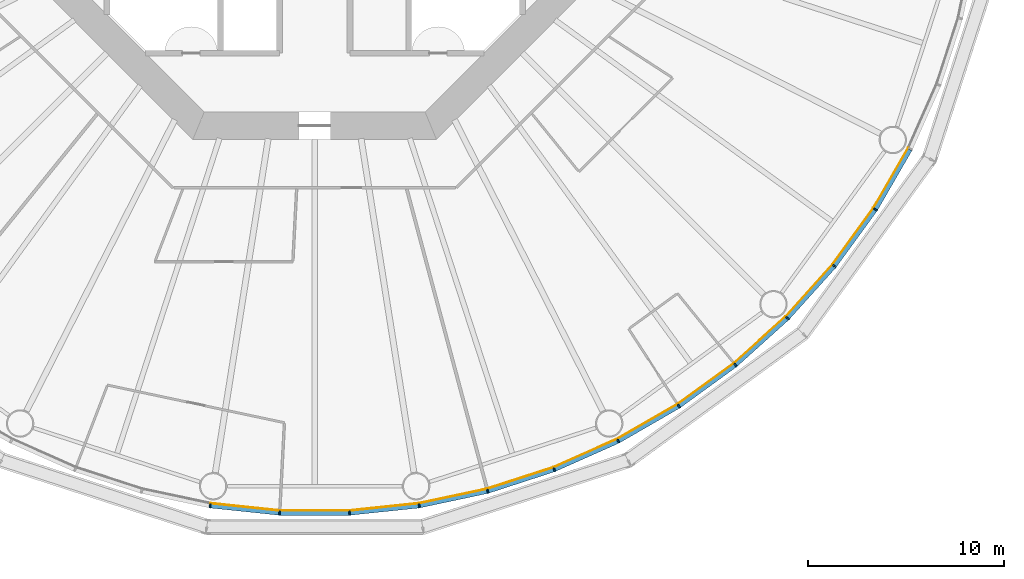
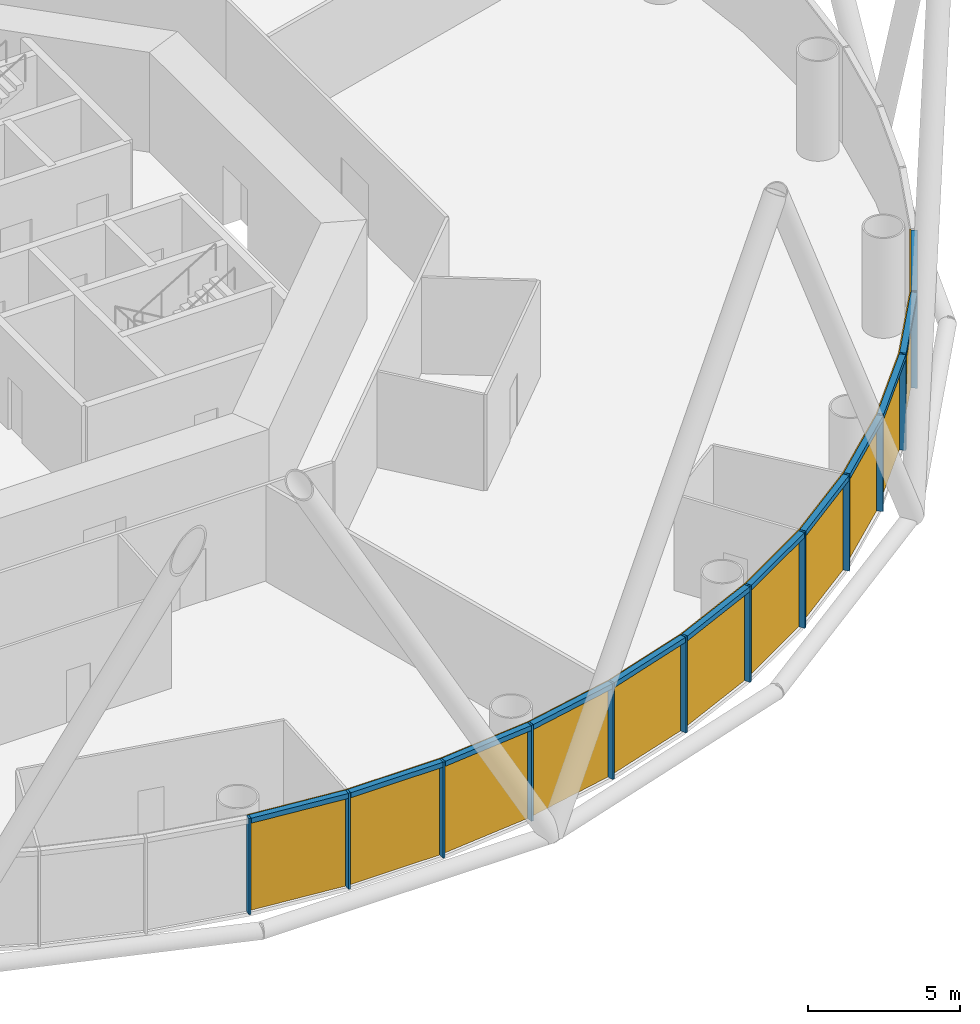
# One storey, part 8 of 13: 24 members, 4 curtain walls.
"""IFC4 building model written with IfcOpenShell, lengths in metres."""

from ifc_helpers import new_model, si_unit, direction, frame, origin, origin_2d, place, context, subcontext, project, spatial, polyline, rectangle, outline, extrude, material, layer, layer_set, material_profile, profile_set, type_object, element, aggregate, save


model = new_model("IFC4")

# Units and contexts
model_context = context("Model", 3, precision=1e-05, world=origin(), true_north=direction((0.0, 1.0)))
body_context = subcontext(model_context, "Body", "Model", "MODEL_VIEW")
ifc_project = project(units=[si_unit("LENGTHUNIT", "METRE"), si_unit("AREAUNIT", "SQUARE_METRE"), si_unit("VOLUMEUNIT", "CUBIC_METRE"), si_unit("PLANEANGLEUNIT", "RADIAN"), si_unit("MASSUNIT", "GRAM", prefix="KILO")], contexts=[model_context])

# Member
ifc_material_1 = material(Name="Anodised aluminium", Category="aluminium")
ifc_material_profile_1 = material_profile(ifc_material_1, rectangle(XDim=0.074951171875, YDim=0.219970703125, at=origin_2d()), Name="Mullion 75 x 220 mm anodised aluminium")
ifc_profile_set_1 = profile_set([ifc_material_profile_1], Name="Anodised aluminium")
member_type_1 = type_object("IfcMemberType", Name="Mullion 75 x 220 mm anodised aluminium", PredefinedType="MULLION", material=ifc_profile_set_1)
site_placement = place(None, origin())
building_placement = place(site_placement, origin())
storey_placement = place(building_placement, frame((0.0, 0.0, 18.0)))
member_1_placement = place(storey_placement, frame((84.6640625, 46.31005859375, 0.0), z_axis=(0.0, 0.0, 1.0), x_axis=(0.987688340595, -0.15643446504, 0.0)))
member_1 = element("IfcMember", 1, at=member_1_placement, type_object=member_type_1, Name="MULLION L02-42", PredefinedType="MULLION", context=body_context, shape_type="SweptSolid", body=[
    extrude(rectangle(XDim=0.074951171875, YDim=0.219970703125, at=origin_2d()), origin(), (0.0, 0.0, 1.0), 3.85009765625),
])

member_2_placement = place(storey_placement, frame((88.21484375, 45.936767578125, 0.0), z_axis=(0.0, 0.0, 1.0), x_axis=(0.998629534755, -0.052335956243, 0.0)))
member_2 = element("IfcMember", 2, at=member_2_placement, type_object=member_type_1, Name="MULLION L02-43", PredefinedType="MULLION", context=body_context, shape_type="SweptSolid", body=[
    extrude(rectangle(XDim=0.074951171875, YDim=0.219970703125, at=origin_2d()), origin(), (0.0, 0.0, 1.0), 3.85009765625),
])

member_3_placement = place(storey_placement, frame((91.78515625, 45.936767578125, 0.0), z_axis=(0.0, 0.0, 1.0), x_axis=(0.998629534755, 0.052335956243, 0.0)))
member_3 = element("IfcMember", 3, at=member_3_placement, type_object=member_type_1, Name="MULLION L02-44", PredefinedType="MULLION", context=body_context, shape_type="SweptSolid", body=[
    extrude(rectangle(XDim=0.074951171875, YDim=0.219970703125, at=origin_2d()), origin(), (0.0, 0.0, 1.0), 3.85009765625),
])

member_4_placement = place(storey_placement, frame((95.3359375, 46.31005859375, 0.0), z_axis=(0.0, 0.0, 1.0), x_axis=(0.987688340595, 0.15643446504, 0.0)))
member_4 = element("IfcMember", 4, at=member_4_placement, type_object=member_type_1, Name="MULLION L02-45", PredefinedType="MULLION", context=body_context, shape_type="SweptSolid", body=[
    extrude(rectangle(XDim=0.074951171875, YDim=0.219970703125, at=origin_2d()), origin(), (0.0, 0.0, 1.0), 3.85009765625),
])

member_5_placement = place(storey_placement, frame((98.828369140625, 47.05224609375, 0.0), z_axis=(0.0, 0.0, 1.0), x_axis=(0.965925826289, 0.258819045103, 0.0)))
member_5 = element("IfcMember", 5, at=member_5_placement, type_object=member_type_1, Name="MULLION L02-46", PredefinedType="MULLION", context=body_context, shape_type="SweptSolid", body=[
    extrude(rectangle(XDim=0.074951171875, YDim=0.219970703125, at=origin_2d()), origin(), (0.0, 0.0, 1.0), 3.85009765625),
])

member_6_placement = place(storey_placement, frame((102.223876953125, 48.155517578125, 0.0), z_axis=(0.0, 0.0, 1.0), x_axis=(0.933580426497, 0.358367949545, 0.0)))
member_6 = element("IfcMember", 6, at=member_6_placement, type_object=member_type_1, Name="MULLION L02-47", PredefinedType="MULLION", context=body_context, shape_type="SweptSolid", body=[
    extrude(rectangle(XDim=0.074951171875, YDim=0.219970703125, at=origin_2d()), origin(), (0.0, 0.0, 1.0), 3.85009765625),
])

member_7_placement = place(storey_placement, frame((105.485595703125, 49.607666015625, 0.0), z_axis=(0.0, 0.0, 1.0), x_axis=(0.891006524188, 0.45399049974, 0.0)))
member_7 = element("IfcMember", 7, at=member_7_placement, type_object=member_type_1, Name="MULLION L02-48", PredefinedType="MULLION", context=body_context, shape_type="SweptSolid", body=[
    extrude(rectangle(XDim=0.074951171875, YDim=0.219970703125, at=origin_2d()), origin(), (0.0, 0.0, 1.0), 3.85009765625),
])

member_8_placement = place(storey_placement, frame((108.57763671875, 51.39306640625, 0.0), z_axis=(0.0, 0.0, 1.0), x_axis=(0.838670567945, 0.544639035015, 0.0)))
member_8 = element("IfcMember", 8, at=member_8_placement, type_object=member_type_1, Name="MULLION L02-49", PredefinedType="MULLION", context=body_context, shape_type="SweptSolid", body=[
    extrude(rectangle(XDim=0.074951171875, YDim=0.219970703125, at=origin_2d()), origin(), (0.0, 0.0, 1.0), 3.85009765625),
])

member_9_placement = place(storey_placement, frame((111.466064453125, 53.491455078125, 0.0), z_axis=(0.0, 0.0, 1.0), x_axis=(0.777145961457, 0.62932039105, 0.0)))
member_9 = element("IfcMember", 9, at=member_9_placement, type_object=member_type_1, Name="MULLION L02-50", PredefinedType="MULLION", context=body_context, shape_type="SweptSolid", body=[
    extrude(rectangle(XDim=0.074951171875, YDim=0.219970703125, at=origin_2d()), origin(), (0.0, 0.0, 1.0), 3.85009765625),
])

member_10_placement = place(storey_placement, frame((114.119384765625, 55.880615234375, 0.0), z_axis=(0.0, 0.0, 1.0), x_axis=(0.707106781187, 0.707106781187, 0.0)))
member_10 = element("IfcMember", 10, at=member_10_placement, type_object=member_type_1, Name="MULLION L02-51", PredefinedType="MULLION", context=body_context, shape_type="SweptSolid", body=[
    extrude(rectangle(XDim=0.074951171875, YDim=0.219970703125, at=origin_2d()), origin(), (0.0, 0.0, 1.0), 3.85009765625),
])

member_11_placement = place(storey_placement, frame((116.508544921875, 58.533935546875, 0.0), z_axis=(0.0, 0.0, 1.0), x_axis=(0.62932039105, 0.777145961457, 0.0)))
member_11 = element("IfcMember", 11, at=member_11_placement, type_object=member_type_1, Name="MULLION L02-52", PredefinedType="MULLION", context=body_context, shape_type="SweptSolid", body=[
    extrude(rectangle(XDim=0.074951171875, YDim=0.219970703125, at=origin_2d()), origin(), (0.0, 0.0, 1.0), 3.85009765625),
])

member_12_placement = place(storey_placement, frame((118.60693359375, 61.42236328125, 0.0), z_axis=(0.0, 0.0, 1.0), x_axis=(0.544639035015, 0.838670567945, 0.0)))
member_12 = element("IfcMember", 12, at=member_12_placement, type_object=member_type_1, Name="MULLION L02-53", PredefinedType="MULLION", context=body_context, shape_type="SweptSolid", body=[
    extrude(rectangle(XDim=0.074951171875, YDim=0.219970703125, at=origin_2d()), origin(), (0.0, 0.0, 1.0), 3.85009765625),
])

ifc_material_2 = material(Name="Anodised aluminium", Category="aluminium")
ifc_material_profile_2 = material_profile(ifc_material_2, rectangle(XDim=0.219970703125, YDim=0.199951171875, at=origin_2d()), Name="Transom 200 x 220 mm anodised aluminium")
ifc_profile_set_2 = profile_set([ifc_material_profile_2], Name="Anodised aluminium")
member_type_2 = type_object("IfcMemberType", Name="Transom 200 x 220 mm anodised aluminium", PredefinedType="USERDEFINED", material=ifc_profile_set_2)
member_13_placement = place(storey_placement, frame((84.70703125, 46.30517578125, 3.75), z_axis=(0.994526551648, -0.104484152234, 0.0), x_axis=(0.104484152234, 0.994526551648, 0.0)))
member_13 = element("IfcMember", 13, at=member_13_placement, type_object=member_type_2, Name="TRANSOM L02-42", ObjectType="TRANSOM", PredefinedType="USERDEFINED", context=body_context, shape_type="SweptSolid", body=[
    extrude(rectangle(XDim=0.219970703125, YDim=0.199951171875, at=origin_2d()), origin(), (0.0, 0.0, 1.0), 3.48388671875),
])

member_14_placement = place(storey_placement, frame((88.258056640625, 45.9365234375, 3.75), z_axis=(1.0, 0.0, 0.0), x_axis=(0.0, 1.0, 0.0)))
member_14 = element("IfcMember", 14, at=member_14_placement, type_object=member_type_2, Name="TRANSOM L02-43", ObjectType="TRANSOM", PredefinedType="USERDEFINED", context=body_context, shape_type="SweptSolid", body=[
    extrude(rectangle(XDim=0.219970703125, YDim=0.199951171875, at=origin_2d()), origin(), (0.0, 0.0, 1.0), 3.48388671875),
])

member_15_placement = place(storey_placement, frame((91.828125, 45.941162109375, 3.75), z_axis=(0.994526551648, 0.104484152234, 0.0), x_axis=(-0.104484152234, 0.994526551648, 0.0)))
member_15 = element("IfcMember", 15, at=member_15_placement, type_object=member_type_2, Name="TRANSOM L02-44", ObjectType="TRANSOM", PredefinedType="USERDEFINED", context=body_context, shape_type="SweptSolid", body=[
    extrude(rectangle(XDim=0.219970703125, YDim=0.199951171875, at=origin_2d()), origin(), (0.0, 0.0, 1.0), 3.48388671875),
])

member_16_placement = place(storey_placement, frame((95.37841796875, 46.31884765625, 3.75), z_axis=(0.978145669426, 0.207920776701, 0.0), x_axis=(-0.207920776701, 0.978145669426, 0.0)))
member_16 = element("IfcMember", 16, at=member_16_placement, type_object=member_type_2, Name="TRANSOM L02-45", ObjectType="TRANSOM", PredefinedType="USERDEFINED", context=body_context, shape_type="SweptSolid", body=[
    extrude(rectangle(XDim=0.219970703125, YDim=0.199951171875, at=origin_2d()), origin(), (0.0, 0.0, 1.0), 3.48388671875),
])

member_17_placement = place(storey_placement, frame((98.869384765625, 47.0654296875, 3.75), z_axis=(0.951052605696, 0.309029029702, 0.0), x_axis=(-0.309029029702, 0.951052605696, 0.0)))
member_17 = element("IfcMember", 17, at=member_17_placement, type_object=member_type_2, Name="TRANSOM L02-46", ObjectType="TRANSOM", PredefinedType="USERDEFINED", context=body_context, shape_type="SweptSolid", body=[
    extrude(rectangle(XDim=0.219970703125, YDim=0.199951171875, at=origin_2d()), origin(), (0.0, 0.0, 1.0), 3.484130859375),
])

member_18_placement = place(storey_placement, frame((102.263427734375, 48.173095703125, 3.75), z_axis=(0.913545487371, 0.406736576304, 0.0), x_axis=(-0.406736576304, 0.913545487371, 0.0)))
member_18 = element("IfcMember", 18, at=member_18_placement, type_object=member_type_2, Name="TRANSOM L02-47", ObjectType="TRANSOM", PredefinedType="USERDEFINED", context=body_context, shape_type="SweptSolid", body=[
    extrude(rectangle(XDim=0.219970703125, YDim=0.199951171875, at=origin_2d()), origin(), (0.0, 0.0, 1.0), 3.48388671875),
])

member_19_placement = place(storey_placement, frame((105.523193359375, 49.629150390625, 3.75), z_axis=(0.866022206254, 0.500005538244, 0.0), x_axis=(-0.500005538244, 0.866022206254, 0.0)))
member_19 = element("IfcMember", 19, at=member_19_placement, type_object=member_type_2, Name="TRANSOM L02-48", ObjectType="TRANSOM", PredefinedType="USERDEFINED", context=body_context, shape_type="SweptSolid", body=[
    extrude(rectangle(XDim=0.219970703125, YDim=0.199951171875, at=origin_2d()), origin(), (0.0, 0.0, 1.0), 3.48388671875),
])

member_20_placement = place(storey_placement, frame((108.61279296875, 51.418212890625, 3.75), z_axis=(0.80899056535, 0.587821627006, 0.0), x_axis=(-0.587821627006, 0.80899056535, 0.0)))
member_20 = element("IfcMember", 20, at=member_20_placement, type_object=member_type_2, Name="TRANSOM L02-49", ObjectType="TRANSOM", PredefinedType="USERDEFINED", context=body_context, shape_type="SweptSolid", body=[
    extrude(rectangle(XDim=0.219970703125, YDim=0.199951171875, at=origin_2d()), origin(), (0.0, 0.0, 1.0), 3.48388671875),
])

member_21_placement = place(storey_placement, frame((111.498291015625, 53.520263671875, 3.75), z_axis=(0.743137329876, 0.669138930974, 0.0), x_axis=(-0.669138930974, 0.743137329876, 0.0)))
member_21 = element("IfcMember", 21, at=member_21_placement, type_object=member_type_2, Name="TRANSOM L02-50", ObjectType="TRANSOM", PredefinedType="USERDEFINED", context=body_context, shape_type="SweptSolid", body=[
    extrude(rectangle(XDim=0.219970703125, YDim=0.199951171875, at=origin_2d()), origin(), (0.0, 0.0, 1.0), 3.484130859375),
])

member_22_placement = place(storey_placement, frame((114.1484375, 55.91259765625, 3.75), z_axis=(0.669138930974, 0.743137329876, 0.0), x_axis=(-0.743137329876, 0.669138930974, 0.0)))
member_22 = element("IfcMember", 22, at=member_22_placement, type_object=member_type_2, Name="TRANSOM L02-51", ObjectType="TRANSOM", PredefinedType="USERDEFINED", context=body_context, shape_type="SweptSolid", body=[
    extrude(rectangle(XDim=0.219970703125, YDim=0.199951171875, at=origin_2d()), origin(), (0.0, 0.0, 1.0), 3.484130859375),
])

member_23_placement = place(storey_placement, frame((116.533935546875, 58.56884765625, 3.75), z_axis=(0.587821627006, 0.80899056535, 0.0), x_axis=(-0.80899056535, 0.587821627006, 0.0)))
member_23 = element("IfcMember", 23, at=member_23_placement, type_object=member_type_2, Name="TRANSOM L02-52", ObjectType="TRANSOM", PredefinedType="USERDEFINED", context=body_context, shape_type="SweptSolid", body=[
    extrude(rectangle(XDim=0.219970703125, YDim=0.199951171875, at=origin_2d()), origin(), (0.0, 0.0, 1.0), 3.48388671875),
])

member_24_placement = place(storey_placement, frame((118.62890625, 61.459716796875, 3.75), z_axis=(0.500005538244, 0.866022206254, 0.0), x_axis=(-0.866022206254, 0.500005538244, 0.0)))
member_24 = element("IfcMember", 24, at=member_24_placement, type_object=member_type_2, Name="TRANSOM L02-53", ObjectType="TRANSOM", PredefinedType="USERDEFINED", context=body_context, shape_type="SweptSolid", body=[
    extrude(rectangle(XDim=0.219970703125, YDim=0.199951171875, at=origin_2d()), origin(), (0.0, 0.0, 1.0), 3.48388671875),
])

# Site, building, storey
site = spatial("IfcSite", under=ifc_project, at=site_placement, CompositionType="ELEMENT")
building = spatial("IfcBuilding", under=site, at=building_placement, Name="Entoto Ring Tower", CompositionType="ELEMENT")
storey = spatial("IfcBuildingStorey", under=building, at=storey_placement, Name="L02", CompositionType="ELEMENT", Elevation=18.0)

# Curtain wall
ifc_material_3 = material(Name="Clear low-iron glass", Category="glass")
ifc_layer = layer(ifc_material_3, 0.0400390625)
ifc_layer_set = layer_set([ifc_layer], Name="Clear low-iron glass")
curtain_wall_type = type_object("IfcCurtainWallType", Name="Curtain wall system CW1 glazing 40 mm", PredefinedType="NOTDEFINED", material=ifc_layer_set)
curtain_wall_1_placement = place(storey_placement, origin())
curtain_wall_1 = element("IfcCurtainWall", 25, at=curtain_wall_1_placement, inside=storey, type_object=curtain_wall_type, Name="CW1 L02-15", PredefinedType="NOTDEFINED", context=body_context, shape_type="SweptSolid", body=[
    extrude(outline(polyline([(84.68115234375, 46.418701171875), (88.220458984375, 46.046630859375), (91.779541015625, 46.046630859375), (95.31884765625, 46.418701171875), (95.3125, 46.458251953125), (91.77734375, 46.086669921875), (88.22265625, 46.086669921875), (84.6875, 46.458251953125), (84.68115234375, 46.418701171875)])), origin(), (0.0, 0.0, 1.0), 3.85009765625),
])

aggregate(curtain_wall_1, [member_1, member_2, member_3, member_13, member_14, member_15])

curtain_wall_2_placement = place(storey_placement, origin())
curtain_wall_2 = element("IfcCurtainWall", 26, at=curtain_wall_2_placement, inside=storey, type_object=curtain_wall_type, Name="CW1 L02-16", PredefinedType="NOTDEFINED", context=body_context, shape_type="SweptSolid", body=[
    extrude(outline(polyline([(95.31884765625, 46.418701171875), (98.7998046875, 47.158447265625), (102.1845703125, 48.25830078125), (105.435791015625, 49.705810546875), (105.41748046875, 49.741455078125), (102.170166015625, 48.295654296875), (98.78955078125, 47.197265625), (95.3125, 46.458251953125), (95.31884765625, 46.418701171875)])), origin(), (0.0, 0.0, 1.0), 3.85009765625),
])

aggregate(curtain_wall_2, [member_4, member_5, member_6, member_16, member_17, member_18])

curtain_wall_3_placement = place(storey_placement, origin())
curtain_wall_3 = element("IfcCurtainWall", 27, at=curtain_wall_3_placement, inside=storey, type_object=curtain_wall_type, Name="CW1 L02-17", PredefinedType="NOTDEFINED", context=body_context, shape_type="SweptSolid", body=[
    extrude(outline(polyline([(105.435791015625, 49.705810546875), (108.517822265625, 51.485107421875), (111.39697265625, 53.5771484375), (114.041748046875, 55.958251953125), (114.013427734375, 55.986572265625), (111.37158203125, 53.608154296875), (108.495849609375, 51.518798828125), (105.41748046875, 49.741455078125), (105.435791015625, 49.705810546875)])), origin(), (0.0, 0.0, 1.0), 3.85009765625),
])

aggregate(curtain_wall_3, [member_7, member_8, member_9, member_19, member_20, member_21])

curtain_wall_4_placement = place(storey_placement, origin())
curtain_wall_4 = element("IfcCurtainWall", 28, at=curtain_wall_4_placement, inside=storey, type_object=curtain_wall_type, Name="CW1 L02-18", PredefinedType="NOTDEFINED", context=body_context, shape_type="SweptSolid", body=[
    extrude(outline(polyline([(114.041748046875, 55.958251953125), (116.4228515625, 58.60302734375), (118.514892578125, 61.482177734375), (120.294189453125, 64.564208984375), (120.258544921875, 64.58251953125), (118.481201171875, 61.504150390625), (116.391845703125, 58.62841796875), (114.013427734375, 55.986572265625), (114.041748046875, 55.958251953125)])), origin(), (0.0, 0.0, 1.0), 3.85009765625),
])

aggregate(curtain_wall_4, [member_10, member_11, member_12, member_22, member_23, member_24])

save(model, "model.ifc")
